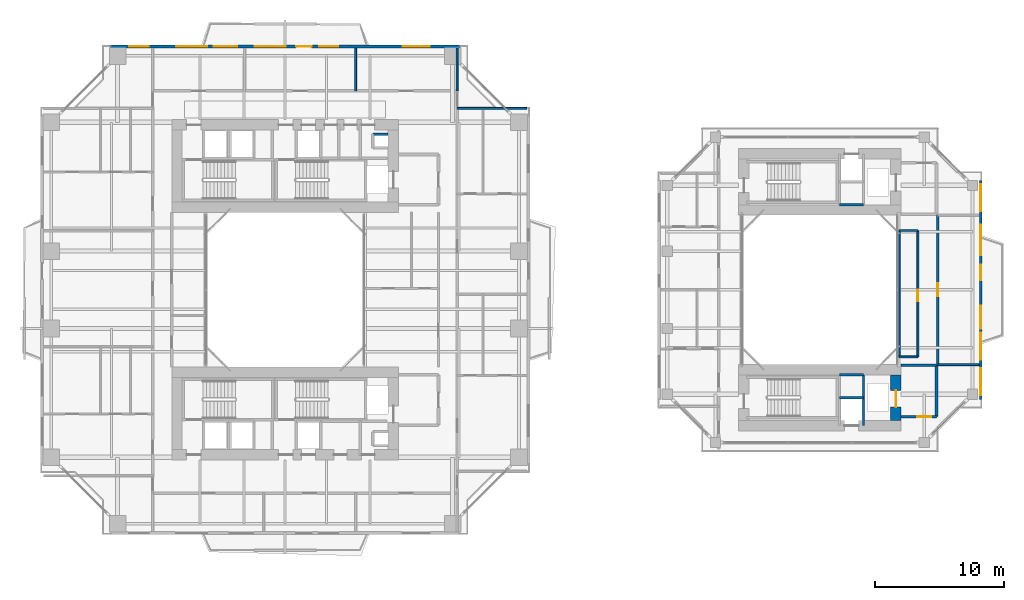
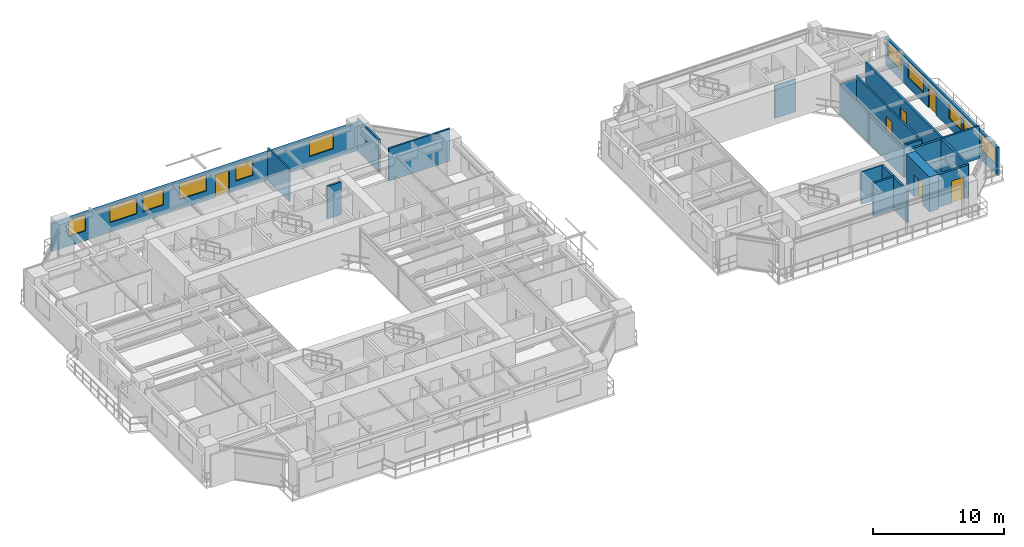
# One storey, part 17 of 23: 20 walls, 11 windows, 6 doors, 17 openings.
"""IFC4 building model written with IfcOpenShell, lengths in metres."""

from ifc_helpers import new_model, si_unit, direction, frame, frame_2d, origin, place, context, subcontext, project, spatial, rectangle, extrude, source, transform, mapped, material, layer, layer_set, type_object, element, fill, save


model = new_model("IFC4")

# Units and contexts
model_context = context("Model", 3, precision=1e-05, world=origin(), true_north=direction((0.0, 1.0)))
body_context = subcontext(model_context, "Body", "Model", "MODEL_VIEW")
ifc_project = project(units=[si_unit("LENGTHUNIT", "METRE"), si_unit("AREAUNIT", "SQUARE_METRE"), si_unit("VOLUMEUNIT", "CUBIC_METRE"), si_unit("PLANEANGLEUNIT", "RADIAN"), si_unit("MASSUNIT", "GRAM", prefix="KILO"), si_unit("THERMODYNAMICTEMPERATUREUNIT", "KELVIN"), si_unit("POWERUNIT", "WATT")], contexts=[model_context])

# Site, building, storey
site_placement = place(None, origin())
site = spatial("IfcSite", under=ifc_project, at=site_placement, CompositionType="ELEMENT")
building_placement = place(site_placement, origin())
building = spatial("IfcBuilding", under=site, at=building_placement, Name="Qiaomeng Ring Towers", CompositionType="ELEMENT")
storey_placement = place(building_placement, frame((0.0, 0.0, 89.25)))
storey = spatial("IfcBuildingStorey", under=building, at=storey_placement, Name="L25", CompositionType="ELEMENT", Elevation=89.25)

# Wall, openings, windows, door
ifc_material_1 = material(Name="Precast concrete C40", Category="concrete")
ifc_layer_1 = layer(ifc_material_1, 0.25, Name="Precast concrete C40")
ifc_layer_set_1 = layer_set([ifc_layer_1], Name="Precast concrete C40")
wall_type_1 = type_object("IfcWallType", Name="ARC-WL-EW1", PredefinedType="STANDARD", material=ifc_layer_set_1)
wall_1_placement = place(storey_placement, frame((5.449951171875, 41.875, 0.0), z_axis=(0.0, 0.0, 1.0), x_axis=(1.0, 0.0, 0.0)))
wall_1 = element("IfcWall", 1, at=wall_1_placement, inside=storey, type_object=wall_type_1, Name="L25 Tower 1 N Exterior Wall", PredefinedType="STANDARD", context=body_context, shape_type="SweptSolid", body=[
    extrude(rectangle(XDim=27.10009765625, YDim=0.25, at=frame_2d((13.550048828125, 0.0))), origin(), (0.0, 0.0, 1.0), 2.570068359375),
])
opening_1_placement = place(wall_1_placement, frame((14.39990234375, 0.0, 0.0)))
opening_1 = element("IfcOpeningElement", 2, at=opening_1_placement, cuts=wall_1, Name="Opening BD1", PredefinedType="OPENING", context=body_context, shape_type="SweptSolid", body=[
    extrude(rectangle(XDim=1.199951171875, YDim=2.10009765625, at=frame_2d((0.60009765625, 1.050048828125))), frame((0.0, 0.135009765625, 0.0), z_axis=(0.0, -1.0, 0.0), x_axis=(1.0, 0.0, 0.0)), (0.0, 0.0, 1.0), 0.27001953125),
])
opening_2_placement = place(wall_1_placement, frame((1.449951171875, 0.0, 0.89990234375)))
opening_2 = element("IfcOpeningElement", 3, at=opening_2_placement, cuts=wall_1, Name="Opening WN2", PredefinedType="OPENING", context=body_context, shape_type="SweptSolid", body=[
    extrude(rectangle(XDim=1.5, YDim=1.5, at=frame_2d((0.75, 0.75))), frame((0.0, 0.135009765625, 0.0), z_axis=(0.0, -1.0, 0.0), x_axis=(1.0, 0.0, 0.0)), (0.0, 0.0, 1.0), 0.27001953125),
])
opening_3_placement = place(wall_1_placement, frame((8.0244140625, 0.0, 0.89990234375)))
opening_3 = element("IfcOpeningElement", 4, at=opening_3_placement, cuts=wall_1, Name="Opening WN1", PredefinedType="OPENING", context=body_context, shape_type="SweptSolid", body=[
    extrude(rectangle(XDim=1.800048828125, YDim=1.5, at=frame_2d((0.89990234375, 0.75))), frame((0.0, 0.135009765625, 0.0), z_axis=(0.0, -1.0, 0.0), x_axis=(1.0, 0.0, 0.0)), (0.0, 0.0, 1.0), 0.27001953125),
])
opening_4_placement = place(wall_1_placement, frame((16.18798828125, 0.0, 0.89990234375)))
opening_4 = element("IfcOpeningElement", 5, at=opening_4_placement, cuts=wall_1, Name="Opening WN2", PredefinedType="OPENING", context=body_context, shape_type="SweptSolid", body=[
    extrude(rectangle(XDim=1.5, YDim=1.449951171875, at=frame_2d((0.75, 0.72509765625))), frame((0.0, 0.135009765625, 0.0), z_axis=(0.0, -1.0, 0.0), x_axis=(1.0, 0.0, 0.0)), (0.0, 0.0, 1.0), 0.27001953125),
])
opening_5_placement = place(wall_1_placement, frame((22.6630859375, 0.0, 0.89990234375)))
opening_5 = element("IfcOpeningElement", 6, at=opening_5_placement, cuts=wall_1, Name="Opening WN4", PredefinedType="OPENING", context=body_context, shape_type="SweptSolid", body=[
    extrude(rectangle(XDim=2.10009765625, YDim=1.47998046875, at=frame_2d((1.050048828125, 0.739990234375))), frame((0.0, 0.135009765625, 0.0), z_axis=(0.0, -1.0, 0.0), x_axis=(1.0, 0.0, 0.0)), (0.0, 0.0, 1.0), 0.27001953125),
])
opening_6_placement = place(wall_1_placement, frame((5.083984375, 0.0, 0.89990234375)))
opening_6 = element("IfcOpeningElement", 7, at=opening_6_placement, cuts=wall_1, Name="Opening WN6", PredefinedType="OPENING", context=body_context, shape_type="SweptSolid", body=[
    extrude(rectangle(XDim=2.39990234375, YDim=1.5, at=frame_2d((1.199951171875, 0.75))), frame((0.0, 0.135009765625, 0.0), z_axis=(0.0, -1.0, 0.0), x_axis=(1.0, 0.0, 0.0)), (0.0, 0.0, 1.0), 0.27001953125),
])
opening_7_placement = place(wall_1_placement, frame((11.20751953125, 0.0, 0.89990234375)))
opening_7 = element("IfcOpeningElement", 8, at=opening_7_placement, cuts=wall_1, Name="Opening WN6", PredefinedType="OPENING", context=body_context, shape_type="SweptSolid", body=[
    extrude(rectangle(XDim=2.39990234375, YDim=1.5, at=frame_2d((1.199951171875, 0.75))), frame((0.0, 0.135009765625, 0.0), z_axis=(0.0, -1.0, 0.0), x_axis=(1.0, 0.0, 0.0)), (0.0, 0.0, 1.0), 0.27001953125),
])
ifc_material_2 = material(Name="Low-E dark-grey laminated double glazing", Category="glass")
window_type_1 = type_object("IfcWindowType", Name="ARC-WN-2", PartitioningType="DOUBLE_PANEL_VERTICAL", PredefinedType="WINDOW", material=ifc_material_2)
shared_shape_1 = source(origin(), body_context, "Body", "SweptSolid", [
    extrude(rectangle(XDim=1.5, YDim=1.449951171875, at=frame_2d((0.75, 0.72509765625))), frame((0.0, 0.030029296875, 0.0), z_axis=(0.0, -1.0, 0.0), x_axis=(1.0, 0.0, 0.0)), (0.0, 0.0, 1.0), 0.06005859375),
])
window_1_placement = place(opening_4_placement, origin())
window_1 = element("IfcWindow", 9, at=window_1_placement, inside=storey, type_object=window_type_1, Name="L25 Exterior Window WN2", OverallHeight=1.449951171875, OverallWidth=1.5, PartitioningType="DOUBLE_PANEL_VERTICAL", PredefinedType="WINDOW", context=body_context, shape_type="MappedRepresentation", body=[
    mapped(shared_shape_1, transform((0.0, 0.0, 0.0), x_axis=(1.0, 0.0, 0.0), y_axis=(0.0, 1.0, 0.0), z_axis=(0.0, 0.0, 1.0), scale=1.0)),
])
fill(opening_4, window_1)
window_type_2 = type_object("IfcWindowType", Name="ARC-WN-4", PartitioningType="TRIPLE_PANEL_VERTICAL", PredefinedType="WINDOW", material=ifc_material_2)
shared_shape_2 = source(origin(), body_context, "Body", "SweptSolid", [
    extrude(rectangle(XDim=2.10009765625, YDim=1.47998046875, at=frame_2d((1.050048828125, 0.739990234375))), frame((0.0, 0.030029296875, 0.0), z_axis=(0.0, -1.0, 0.0), x_axis=(1.0, 0.0, 0.0)), (0.0, 0.0, 1.0), 0.06005859375),
])
window_2_placement = place(opening_5_placement, origin())
window_2 = element("IfcWindow", 10, at=window_2_placement, inside=storey, type_object=window_type_2, Name="L25 Exterior Window WN4", OverallHeight=1.47998046875, OverallWidth=2.10009765625, PartitioningType="TRIPLE_PANEL_VERTICAL", PredefinedType="WINDOW", context=body_context, shape_type="MappedRepresentation", body=[
    mapped(shared_shape_2, transform((0.0, 0.0, 0.0), x_axis=(1.0, 0.0, 0.0), y_axis=(0.0, 1.0, 0.0), z_axis=(0.0, 0.0, 1.0), scale=1.0)),
])
fill(opening_5, window_2)
door_type_1 = type_object("IfcDoorType", Name="ARC-DR-BD1", OperationType="NOTDEFINED", PredefinedType="DOOR", material=ifc_material_2)
shared_shape_3 = source(origin(), body_context, "Body", "SweptSolid", [
    extrude(rectangle(XDim=1.199951171875, YDim=2.10009765625, at=frame_2d((0.60009765625, 1.050048828125))), frame((0.0, 0.02490234375, 0.0), z_axis=(0.0, -1.0, 0.0), x_axis=(1.0, 0.0, 0.0)), (0.0, 0.0, 1.0), 0.050048828125),
])
door_1_placement = place(opening_1_placement, origin())
door_1 = element("IfcDoor", 11, at=door_1_placement, inside=storey, type_object=door_type_1, Name="L25 N Balcony Glazed Door", OperationType="SINGLE_SWING_LEFT", OverallHeight=2.10009765625, OverallWidth=1.199951171875, PredefinedType="DOOR", context=body_context, shape_type="MappedRepresentation", body=[
    mapped(shared_shape_3, transform((0.0, 0.0, 0.0), x_axis=(1.0, 0.0, 0.0), y_axis=(0.0, 1.0, 0.0), z_axis=(0.0, 0.0, 1.0), scale=1.0)),
])
fill(opening_1, door_1)
shared_shape_4 = source(origin(), body_context, "Body", "SweptSolid", [
    extrude(rectangle(XDim=1.5, YDim=1.5, at=frame_2d((0.75, 0.75))), frame((0.0, 0.030029296875, 0.0), z_axis=(0.0, -1.0, 0.0), x_axis=(1.0, 0.0, 0.0)), (0.0, 0.0, 1.0), 0.06005859375),
])
window_3_placement = place(opening_2_placement, origin())
window_3 = element("IfcWindow", 12, at=window_3_placement, inside=storey, type_object=window_type_1, Name="L25 Exterior Window WN6", OverallHeight=1.5, OverallWidth=1.5, PartitioningType="TRIPLE_PANEL_VERTICAL", PredefinedType="WINDOW", context=body_context, shape_type="MappedRepresentation", body=[
    mapped(shared_shape_4, transform((0.0, 0.0, 0.0), x_axis=(1.0, 0.0, 0.0), y_axis=(0.0, 1.0, 0.0), z_axis=(0.0, 0.0, 1.0), scale=1.0)),
])
fill(opening_2, window_3)
window_type_3 = type_object("IfcWindowType", Name="ARC-WN-6", PartitioningType="TRIPLE_PANEL_VERTICAL", PredefinedType="WINDOW", material=ifc_material_2)
shared_shape_5 = source(origin(), body_context, "Body", "SweptSolid", [
    extrude(rectangle(XDim=2.39990234375, YDim=1.5, at=frame_2d((1.199951171875, 0.75))), frame((0.0, 0.030029296875, 0.0), z_axis=(0.0, -1.0, 0.0), x_axis=(1.0, 0.0, 0.0)), (0.0, 0.0, 1.0), 0.06005859375),
])
window_4_placement = place(opening_6_placement, origin())
window_4 = element("IfcWindow", 13, at=window_4_placement, inside=storey, type_object=window_type_3, Name="L25 Exterior Window WN6", OverallHeight=1.5, OverallWidth=2.39990234375, PartitioningType="TRIPLE_PANEL_VERTICAL", PredefinedType="WINDOW", context=body_context, shape_type="MappedRepresentation", body=[
    mapped(shared_shape_5, transform((0.0, 0.0, 0.0), x_axis=(1.0, 0.0, 0.0), y_axis=(0.0, 1.0, 0.0), z_axis=(0.0, 0.0, 1.0), scale=1.0)),
])
fill(opening_6, window_4)
window_5_placement = place(opening_7_placement, origin())
window_5 = element("IfcWindow", 14, at=window_5_placement, inside=storey, type_object=window_type_3, Name="L25 Exterior Window WN6", OverallHeight=1.5, OverallWidth=2.39990234375, PartitioningType="TRIPLE_PANEL_VERTICAL", PredefinedType="WINDOW", context=body_context, shape_type="MappedRepresentation", body=[
    mapped(shared_shape_5, transform((0.0, 0.0, 0.0), x_axis=(1.0, 0.0, 0.0), y_axis=(0.0, 1.0, 0.0), z_axis=(0.0, 0.0, 1.0), scale=1.0)),
])
fill(opening_7, window_5)
window_type_4 = type_object("IfcWindowType", Name="ARC-WN-1", PartitioningType="DOUBLE_PANEL_VERTICAL", PredefinedType="WINDOW", material=ifc_material_2)
shared_shape_6 = source(origin(), body_context, "Body", "SweptSolid", [
    extrude(rectangle(XDim=1.800048828125, YDim=1.5, at=frame_2d((0.89990234375, 0.75))), frame((0.0, 0.030029296875, 0.0), z_axis=(0.0, -1.0, 0.0), x_axis=(1.0, 0.0, 0.0)), (0.0, 0.0, 1.0), 0.06005859375),
])
window_6_placement = place(opening_3_placement, origin())
window_6 = element("IfcWindow", 15, at=window_6_placement, inside=storey, type_object=window_type_4, Name="L25 Exterior Window WN1", OverallHeight=1.5, OverallWidth=1.800048828125, PartitioningType="DOUBLE_PANEL_VERTICAL", PredefinedType="WINDOW", context=body_context, shape_type="MappedRepresentation", body=[
    mapped(shared_shape_6, transform((0.0, 0.0, 0.0), x_axis=(1.0, 0.0, 0.0), y_axis=(0.0, 1.0, 0.0), z_axis=(0.0, 0.0, 1.0), scale=1.0)),
])
fill(opening_3, window_6)

ifc_layer_2 = layer(ifc_material_1, 0.219970703125, Name="Precast concrete C40")
ifc_layer_set_2 = layer_set([ifc_layer_2], Name="Precast concrete C40")
wall_type_2 = type_object("IfcWallType", Name="ARC-WL-EW2", PredefinedType="STANDARD", material=ifc_layer_set_2)
wall_2_placement = place(storey_placement, frame((72.989990234375, 14.5, 0.0), z_axis=(0.0, 0.0, 1.0), x_axis=(0.0, 1.0, 0.0)))
wall_2 = element("IfcWall", 16, at=wall_2_placement, inside=storey, type_object=wall_type_2, Name="L25 Companion East Wall", PredefinedType="STANDARD", context=body_context, shape_type="SweptSolid", body=[
    extrude(rectangle(XDim=17.0, YDim=0.219970703125, at=frame_2d((8.5, 0.0))), origin(), (0.0, 0.0, 1.0), 2.570068359375),
])
opening_8_placement = place(wall_2_placement, frame((9.25, 0.0, 0.0)))
opening_8 = element("IfcOpeningElement", 17, at=opening_8_placement, cuts=wall_2, Name="Opening BD1", PredefinedType="OPENING", context=body_context, shape_type="SweptSolid", body=[
    extrude(rectangle(XDim=1.199951171875, YDim=2.10009765625, at=frame_2d((0.60009765625, 1.050048828125))), frame((0.0, 0.119873046875, 0.0), z_axis=(0.0, -1.0, 0.0), x_axis=(1.0, 0.0, 0.0)), (0.0, 0.0, 1.0), 0.239990234375),
])
opening_9_placement = place(wall_2_placement, frame((0.3076171875, 0.0, 0.89990234375)))
opening_9 = element("IfcOpeningElement", 18, at=opening_9_placement, cuts=wall_2, Name="Opening WN4", PredefinedType="OPENING", context=body_context, shape_type="SweptSolid", body=[
    extrude(rectangle(XDim=2.10009765625, YDim=1.5, at=frame_2d((1.050048828125, 0.75))), frame((0.0, 0.119873046875, 0.0), z_axis=(0.0, -1.0, 0.0), x_axis=(1.0, 0.0, 0.0)), (0.0, 0.0, 1.0), 0.239990234375),
])
opening_10_placement = place(wall_2_placement, frame((5.47509765625, 0.0, 0.89990234375)))
opening_10 = element("IfcOpeningElement", 19, at=opening_10_placement, cuts=wall_2, Name="Opening WN1", PredefinedType="OPENING", context=body_context, shape_type="SweptSolid", body=[
    extrude(rectangle(XDim=1.800048828125, YDim=1.449951171875, at=frame_2d((0.89990234375, 0.72509765625))), frame((0.0, 0.119873046875, 0.0), z_axis=(0.0, -1.0, 0.0), x_axis=(1.0, 0.0, 0.0)), (0.0, 0.0, 1.0), 0.239990234375),
])
opening_11_placement = place(wall_2_placement, frame((14.592529296875, 0.0, 0.89990234375)))
opening_11 = element("IfcOpeningElement", 20, at=opening_11_placement, cuts=wall_2, Name="Opening WN4", PredefinedType="OPENING", context=body_context, shape_type="SweptSolid", body=[
    extrude(rectangle(XDim=2.10009765625, YDim=1.5, at=frame_2d((1.050048828125, 0.75))), frame((0.0, 0.119873046875, 0.0), z_axis=(0.0, -1.0, 0.0), x_axis=(1.0, 0.0, 0.0)), (0.0, 0.0, 1.0), 0.239990234375),
])
opening_12_placement = place(wall_2_placement, frame((3.054931640625, 0.0, 0.89990234375)))
opening_12 = element("IfcOpeningElement", 21, at=opening_12_placement, cuts=wall_2, Name="Opening WN4", PredefinedType="OPENING", context=body_context, shape_type="SweptSolid", body=[
    extrude(rectangle(XDim=2.10009765625, YDim=1.5, at=frame_2d((1.050048828125, 0.75))), frame((0.0, 0.119873046875, 0.0), z_axis=(0.0, -1.0, 0.0), x_axis=(1.0, 0.0, 0.0)), (0.0, 0.0, 1.0), 0.239990234375),
])
opening_13_placement = place(wall_2_placement, frame((11.16748046875, 0.0, 0.89990234375)))
opening_13 = element("IfcOpeningElement", 22, at=opening_13_placement, cuts=wall_2, Name="Opening WN6", PredefinedType="OPENING", context=body_context, shape_type="SweptSolid", body=[
    extrude(rectangle(XDim=2.39990234375, YDim=1.5, at=frame_2d((1.199951171875, 0.75))), frame((0.0, 0.119873046875, 0.0), z_axis=(0.0, -1.0, 0.0), x_axis=(1.0, 0.0, 0.0)), (0.0, 0.0, 1.0), 0.239990234375),
])
shared_shape_7 = source(origin(), body_context, "Body", "SweptSolid", [
    extrude(rectangle(XDim=2.10009765625, YDim=1.5, at=frame_2d((1.050048828125, 0.75))), frame((0.0, 0.030029296875, 0.0), z_axis=(0.0, -1.0, 0.0), x_axis=(1.0, 0.0, 0.0)), (0.0, 0.0, 1.0), 0.06005859375),
])
window_7_placement = place(opening_9_placement, origin())
window_7 = element("IfcWindow", 23, at=window_7_placement, inside=storey, type_object=window_type_2, Name="L25 Exterior Window WN6", OverallHeight=1.5, OverallWidth=2.10009765625, PartitioningType="TRIPLE_PANEL_VERTICAL", PredefinedType="WINDOW", context=body_context, shape_type="MappedRepresentation", body=[
    mapped(shared_shape_7, transform((0.0, 0.0, 0.0), x_axis=(1.0, 0.0, 0.0), y_axis=(0.0, 1.0, 0.0), z_axis=(0.0, 0.0, 1.0), scale=1.0)),
])
fill(opening_9, window_7)
window_8_placement = place(opening_11_placement, origin())
window_8 = element("IfcWindow", 24, at=window_8_placement, inside=storey, type_object=window_type_2, Name="L25 Exterior Window WN4", OverallHeight=1.5, OverallWidth=2.10009765625, PartitioningType="TRIPLE_PANEL_VERTICAL", PredefinedType="WINDOW", context=body_context, shape_type="MappedRepresentation", body=[
    mapped(shared_shape_7, transform((0.0, 0.0, 0.0), x_axis=(1.0, 0.0, 0.0), y_axis=(0.0, 1.0, 0.0), z_axis=(0.0, 0.0, 1.0), scale=1.0)),
])
fill(opening_11, window_8)
window_9_placement = place(opening_12_placement, origin())
window_9 = element("IfcWindow", 25, at=window_9_placement, inside=storey, type_object=window_type_2, Name="L25 Exterior Window WN4", OverallHeight=1.5, OverallWidth=2.10009765625, PartitioningType="TRIPLE_PANEL_VERTICAL", PredefinedType="WINDOW", context=body_context, shape_type="MappedRepresentation", body=[
    mapped(shared_shape_7, transform((0.0, 0.0, 0.0), x_axis=(1.0, 0.0, 0.0), y_axis=(0.0, 1.0, 0.0), z_axis=(0.0, 0.0, 1.0), scale=1.0)),
])
fill(opening_12, window_9)
shared_shape_8 = source(origin(), body_context, "Body", "SweptSolid", [
    extrude(rectangle(XDim=1.800048828125, YDim=1.449951171875, at=frame_2d((0.89990234375, 0.72509765625))), frame((0.0, 0.030029296875, 0.0), z_axis=(0.0, -1.0, 0.0), x_axis=(1.0, 0.0, 0.0)), (0.0, 0.0, 1.0), 0.06005859375),
])
window_10_placement = place(opening_10_placement, origin())
window_10 = element("IfcWindow", 26, at=window_10_placement, inside=storey, type_object=window_type_4, Name="L25 Exterior Window WN1", OverallHeight=1.449951171875, OverallWidth=1.800048828125, PartitioningType="DOUBLE_PANEL_VERTICAL", PredefinedType="WINDOW", context=body_context, shape_type="MappedRepresentation", body=[
    mapped(shared_shape_8, transform((0.0, 0.0, 0.0), x_axis=(1.0, 0.0, 0.0), y_axis=(0.0, 1.0, 0.0), z_axis=(0.0, 0.0, 1.0), scale=1.0)),
])
fill(opening_10, window_10)
door_2_placement = place(opening_8_placement, origin())
door_2 = element("IfcDoor", 27, at=door_2_placement, inside=storey, type_object=door_type_1, Name="L25 Companion East Balcony Door", OperationType="SINGLE_SWING_LEFT", OverallHeight=2.10009765625, OverallWidth=1.199951171875, PredefinedType="DOOR", context=body_context, shape_type="MappedRepresentation", body=[
    mapped(shared_shape_3, transform((0.0, 0.0, 0.0), x_axis=(1.0, 0.0, 0.0), y_axis=(0.0, 1.0, 0.0), z_axis=(0.0, 0.0, 1.0), scale=1.0)),
])
fill(opening_8, door_2)
window_11_placement = place(opening_13_placement, origin())
window_11 = element("IfcWindow", 28, at=window_11_placement, inside=storey, type_object=window_type_3, Name="L25 Exterior Window WN6", OverallHeight=1.5, OverallWidth=2.39990234375, PartitioningType="TRIPLE_PANEL_VERTICAL", PredefinedType="WINDOW", context=body_context, shape_type="MappedRepresentation", body=[
    mapped(shared_shape_5, transform((0.0, 0.0, 0.0), x_axis=(1.0, 0.0, 0.0), y_axis=(0.0, 1.0, 0.0), z_axis=(0.0, 0.0, 1.0), scale=1.0)),
])
fill(opening_13, window_11)

# Walls
ifc_material_3 = material(Name="Autoclaved aerated concrete block", Category="concrete")
ifc_layer_3 = layer(ifc_material_3, 0.199951171875, Name="Autoclaved aerated concrete block")
ifc_layer_set_3 = layer_set([ifc_layer_3], Name="Autoclaved aerated concrete block")
wall_type_3 = type_object("IfcWallType", Name="ARC-WL-PW1", PredefinedType="PARTITIONING", material=ifc_layer_set_3)
wall_3_placement = place(storey_placement, frame((66.800048828125, 17.14990234375, 0.0), z_axis=(0.0, 0.0, 1.0), x_axis=(1.0, 0.0, 0.0)))
element("IfcWall", 29, at=wall_3_placement, inside=storey, type_object=wall_type_3, Name="L25 Interior Wall PW1", PredefinedType="PARTITIONING", context=body_context, shape_type="SweptSolid", body=[
    extrude(rectangle(XDim=2.75, YDim=0.199951171875, at=frame_2d((1.375, 0.0))), origin(), (0.0, 0.0, 1.0), 3.030029296875),
])
wall_4_placement = place(storey_placement, frame((69.550048828125, 13.14990234375, 0.0), z_axis=(0.0, 0.0, 1.0), x_axis=(0.0, 1.0, 0.0)))
element("IfcWall", 30, at=wall_4_placement, inside=storey, type_object=wall_type_3, Name="L25 Interior Wall PW1", PredefinedType="PARTITIONING", context=body_context, shape_type="SweptSolid", body=[
    extrude(rectangle(XDim=4.0, YDim=0.199951171875, at=frame_2d((2.0, 0.0))), origin(), (0.0, 0.0, 1.0), 3.030029296875),
])

# Wall, opening, door
wall_5_placement = place(storey_placement, frame((66.800048828125, 13.14990234375, 0.0), z_axis=(0.0, 0.0, 1.0), x_axis=(1.0, 0.0, 0.0)))
wall_5 = element("IfcWall", 31, at=wall_5_placement, inside=storey, type_object=wall_type_3, Name="L25 Interior Wall PW1", PredefinedType="PARTITIONING", context=body_context, shape_type="SweptSolid", body=[
    extrude(rectangle(XDim=2.75, YDim=0.199951171875, at=frame_2d((1.375, 0.0))), origin(), (0.0, 0.0, 1.0), 3.030029296875),
])
opening_14_placement = place(wall_5_placement, frame((1.25, 0.0, 0.0)))
opening_14 = element("IfcOpeningElement", 32, at=opening_14_placement, cuts=wall_5, Name="Opening FD3", PredefinedType="OPENING", context=body_context, shape_type="SweptSolid", body=[
    extrude(rectangle(XDim=1.10009765625, YDim=2.050048828125, at=frame_2d((0.550048828125, 1.02490234375))), frame((0.0, 0.10986328125, 0.0), z_axis=(0.0, -1.0, 0.0), x_axis=(1.0, 0.0, 0.0)), (0.0, 0.0, 1.0), 0.219970703125),
])
ifc_material_4 = material(Name="Galvanised steel", Category="steel")
door_type_2 = type_object("IfcDoorType", Name="ARC-DR-FD3", OperationType="NOTDEFINED", PredefinedType="DOOR", material=ifc_material_4)
shared_shape_9 = source(origin(), body_context, "Body", "SweptSolid", [
    extrude(rectangle(XDim=1.10009765625, YDim=2.050048828125, at=frame_2d((0.550048828125, 1.02490234375))), frame((0.0, 0.02490234375, 0.0), z_axis=(0.0, -1.0, 0.0), x_axis=(1.0, 0.0, 0.0)), (0.0, 0.0, 1.0), 0.050048828125),
])
door_3_placement = place(opening_14_placement, origin())
door_3 = element("IfcDoor", 33, at=door_3_placement, inside=storey, type_object=door_type_2, Name="L25 Door FD3", OperationType="SINGLE_SWING_LEFT", OverallHeight=2.050048828125, OverallWidth=1.10009765625, PredefinedType="DOOR", context=body_context, shape_type="MappedRepresentation", body=[
    mapped(shared_shape_9, transform((0.0, 0.0, 0.0), x_axis=(1.0, 0.0, 0.0), y_axis=(0.0, 1.0, 0.0), z_axis=(0.0, 0.0, 1.0), scale=1.0)),
])
fill(opening_14, door_3)

ifc_layer_4 = layer(ifc_material_3, 0.179931640625, Name="Autoclaved aerated concrete block")
ifc_layer_set_4 = layer_set([ifc_layer_4], Name="Autoclaved aerated concrete block")
wall_type_4 = type_object("IfcWallType", Name="ARC-WL-PW2", PredefinedType="PARTITIONING", material=ifc_layer_set_4)
wall_6_placement = place(storey_placement, frame((69.64990234375, 17.199951171875, 0.0), z_axis=(0.0, 0.0, 1.0), x_axis=(0.0, 1.0, 0.0)))
wall_6 = element("IfcWall", 34, at=wall_6_placement, inside=storey, type_object=wall_type_4, Name="L25 Interior Wall PW2", PredefinedType="PARTITIONING", context=body_context, shape_type="SweptSolid", body=[
    extrude(rectangle(XDim=11.60009765625, YDim=0.179931640625, at=frame_2d((5.800048828125, 0.0))), origin(), (0.0, 0.0, 1.0), 3.030029296875),
])
opening_15_placement = place(wall_6_placement, frame((5.300048828125, 0.0, 0.0)))
opening_15 = element("IfcOpeningElement", 35, at=opening_15_placement, cuts=wall_6, Name="Opening FD4", PredefinedType="OPENING", context=body_context, shape_type="SweptSolid", body=[
    extrude(rectangle(XDim=1.0, YDim=2.050048828125, at=frame_2d((0.5, 1.02490234375))), frame((0.0, 0.099853515625, 0.0), z_axis=(0.0, -1.0, 0.0), x_axis=(1.0, 0.0, 0.0)), (0.0, 0.0, 1.0), 0.199951171875),
])
ifc_material_5 = material(Name="Engineered fire-rated oak timber", Category="wood")
door_type_3 = type_object("IfcDoorType", Name="ARC-DR-FD4", OperationType="NOTDEFINED", PredefinedType="DOOR", material=ifc_material_5)
shared_shape_10 = source(origin(), body_context, "Body", "SweptSolid", [
    extrude(rectangle(XDim=1.0, YDim=2.050048828125, at=frame_2d((0.5, 1.02490234375))), frame((0.0, 0.02490234375, 0.0), z_axis=(0.0, -1.0, 0.0), x_axis=(1.0, 0.0, 0.0)), (0.0, 0.0, 1.0), 0.050048828125),
])
door_4_placement = place(opening_15_placement, origin())
door_4 = element("IfcDoor", 36, at=door_4_placement, inside=storey, type_object=door_type_3, Name="L25 Door FD4", OperationType="SINGLE_SWING_LEFT", OverallHeight=2.050048828125, OverallWidth=1.0, PredefinedType="DOOR", context=body_context, shape_type="MappedRepresentation", body=[
    mapped(shared_shape_10, transform((0.0, 0.0, 0.0), x_axis=(1.0, 0.0, 0.0), y_axis=(0.0, 1.0, 0.0), z_axis=(0.0, 0.0, 1.0), scale=1.0)),
])
fill(opening_15, door_4)

# Walls
ifc_material_6 = material(Name="Gypsum fireboard steel-stud partition", Category="steel")
ifc_layer_5 = layer(ifc_material_6, 0.14990234375, Name="Gypsum fireboard steel-stud partition")
ifc_layer_set_5 = layer_set([ifc_layer_5], Name="Gypsum fireboard steel-stud partition")
wall_type_5 = type_object("IfcWallType", Name="ARC-WL-PW3", PredefinedType="PARTITIONING", material=ifc_layer_set_5)
for number, where, z_axis, x_axis, name in (
    (37, (24.469970703125, 38.43994140625, 0.0), (0.0, 0.0, 1.0), (0.0, 1.0, 0.0), "L25 Interior Wall PW3"),
    (38, (32.35009765625, 38.43994140625, 0.0), (0.0, 0.0, 1.0), (0.0, 1.0, 0.0), "L25 Interior Wall PW3"),
):
    element("IfcWall", number, at=place(storey_placement, frame(where, z_axis=z_axis, x_axis=x_axis)), inside=storey, type_object=wall_type_5, Name=name, PredefinedType="PARTITIONING", context=body_context, shape_type="SweptSolid", body=[
        extrude(rectangle(XDim=3.31005859375, YDim=0.14990234375, at=frame_2d((1.655029296875, 0.0))), origin(), (0.0, 0.0, 1.0), 3.030029296875),
    ])
wall_7_placement = place(storey_placement, frame((32.35009765625, 37.080078125, 0.0), z_axis=(0.0, 0.0, 1.0), x_axis=(1.0, 0.0, 0.0)))
element("IfcWall", 39, at=wall_7_placement, inside=storey, type_object=wall_type_5, Name="L25 Interior Wall PW3", PredefinedType="PARTITIONING", context=body_context, shape_type="SweptSolid", body=[
    extrude(rectangle(XDim=5.39990234375, YDim=0.14990234375, at=frame_2d((2.699951171875, 0.0))), origin(), (0.0, 0.0, 1.0), 3.030029296875),
])
wall_8_placement = place(storey_placement, frame((69.64990234375, 17.199951171875, 0.0), z_axis=(0.0, 0.0, 1.0), x_axis=(1.0, 0.0, 0.0)))
element("IfcWall", 40, at=wall_8_placement, inside=storey, type_object=wall_type_5, Name="L25 Interior Wall PW3", PredefinedType="PARTITIONING", context=body_context, shape_type="SweptSolid", body=[
    extrude(rectangle(XDim=3.2001953125, YDim=0.14990234375, at=frame_2d((1.60009765625, 0.0))), origin(), (0.0, 0.0, 1.0), 3.030029296875),
])

# Wall, opening, door
wall_9_placement = place(storey_placement, frame((68.10009765625, 17.800048828125, 0.0), z_axis=(0.0, 0.0, 1.0), x_axis=(0.0, 1.0, 0.0)))
wall_9 = element("IfcWall", 41, at=wall_9_placement, inside=storey, type_object=wall_type_5, Name="L25 Interior Wall PW3", PredefinedType="PARTITIONING", context=body_context, shape_type="SweptSolid", body=[
    extrude(rectangle(XDim=9.800048828125, YDim=0.14990234375, at=frame_2d((4.89990234375, 0.0))), origin(), (0.0, 0.0, 1.0), 3.030029296875),
])
opening_16_placement = place(wall_9_placement, frame((4.300048828125, 0.0, 0.0)))
opening_16 = element("IfcOpeningElement", 42, at=opening_16_placement, cuts=wall_9, Name="Opening ID1", PredefinedType="OPENING", context=body_context, shape_type="SweptSolid", body=[
    extrude(rectangle(XDim=0.89990234375, YDim=2.050048828125, at=frame_2d((0.449951171875, 1.02490234375))), frame((0.0, 0.0849609375, 0.0), z_axis=(0.0, -1.0, 0.0), x_axis=(1.0, 0.0, 0.0)), (0.0, 0.0, 1.0), 0.169921875),
])
ifc_material_7 = material(Name="Engineered oak timber", Category="wood")
door_type_4 = type_object("IfcDoorType", Name="ARC-DR-ID1", OperationType="NOTDEFINED", PredefinedType="DOOR", material=ifc_material_7)
shared_shape_11 = source(origin(), body_context, "Body", "SweptSolid", [
    extrude(rectangle(XDim=0.89990234375, YDim=2.050048828125, at=frame_2d((0.449951171875, 1.02490234375))), frame((0.0, 0.02490234375, 0.0), z_axis=(0.0, -1.0, 0.0), x_axis=(1.0, 0.0, 0.0)), (0.0, 0.0, 1.0), 0.050048828125),
])
door_5_placement = place(opening_16_placement, origin())
door_5 = element("IfcDoor", 43, at=door_5_placement, inside=storey, type_object=door_type_4, Name="L25 Door ID1", OperationType="SINGLE_SWING_RIGHT", OverallHeight=2.050048828125, OverallWidth=0.89990234375, PredefinedType="DOOR", context=body_context, shape_type="MappedRepresentation", body=[
    mapped(shared_shape_11, transform((0.0, 0.0, 0.0), x_axis=(1.0, 0.0, 0.0), y_axis=(0.0, 1.0, 0.0), z_axis=(0.0, 0.0, 1.0), scale=1.0)),
])
fill(opening_16, door_5)

# Walls
wall_10_placement = place(storey_placement, frame((66.64990234375, 27.60009765625, 0.0), z_axis=(0.0, 0.0, 1.0), x_axis=(1.0, 0.0, 0.0)))
element("IfcWall", 44, at=wall_10_placement, inside=storey, type_object=wall_type_5, Name="L25 Interior Wall PW3", PredefinedType="PARTITIONING", context=body_context, shape_type="SweptSolid", body=[
    extrude(rectangle(XDim=1.4501953125, YDim=0.14990234375, at=frame_2d((0.72509765625, 0.0))), origin(), (0.0, 0.0, 1.0), 2.781005859375),
])
wall_11_placement = place(storey_placement, frame((66.64990234375, 17.800048828125, 0.0), z_axis=(0.0, 0.0, 1.0), x_axis=(1.0, 0.0, 0.0)))
element("IfcWall", 45, at=wall_11_placement, inside=storey, type_object=wall_type_5, Name="L25 Interior Wall PW3", PredefinedType="PARTITIONING", context=body_context, shape_type="SweptSolid", body=[
    extrude(rectangle(XDim=1.4501953125, YDim=0.14990234375, at=frame_2d((0.72509765625, 0.0))), origin(), (0.0, 0.0, 1.0), 3.030029296875),
])
wall_12_placement = place(storey_placement, frame((66.64990234375, 17.800048828125, 0.0), z_axis=(0.0, 0.0, 1.0), x_axis=(0.0, 1.0, 0.0)))
element("IfcWall", 46, at=wall_12_placement, inside=storey, type_object=wall_type_5, Name="L25 Interior Wall PW3", PredefinedType="PARTITIONING", context=body_context, shape_type="SweptSolid", body=[
    extrude(rectangle(XDim=9.800048828125, YDim=0.14990234375, at=frame_2d((4.89990234375, 0.0))), origin(), (0.0, 0.0, 1.0), 2.625),
])
ifc_material_8 = material(Name="Concrete C40", Category="concrete")
ifc_layer_6 = layer(ifc_material_8, 0.199951171875, Name="Concrete C40")
ifc_layer_set_6 = layer_set([ifc_layer_6], Name="Concrete C40")
wall_type_6 = type_object("IfcWallType", Name="STR-WL-STSHAFT", PredefinedType="SHEAR", material=ifc_layer_set_6)
wall_13_placement = place(storey_placement, frame((25.800048828125, 35.080078125, 0.0), z_axis=(0.0, 0.0, 1.0), x_axis=(1.0, 0.0, 0.0)))
element("IfcWall", 47, at=wall_13_placement, inside=storey, type_object=wall_type_6, Name="L25 Riser RSR1 North Shaft Wall N", PredefinedType="SHEAR", context=body_context, shape_type="SweptSolid", body=[
    extrude(rectangle(XDim=1.199951171875, YDim=0.179931640625, at=frame_2d((0.60009765625, 0.0))), origin(), (0.0, 0.0, 1.0), 3.030029296875),
])
wall_14_placement = place(storey_placement, frame((62.02001953125, 29.60009765625, 0.0), z_axis=(0.0, 0.0, 1.0), x_axis=(1.0, 0.0, 0.0)))
element("IfcWall", 48, at=wall_14_placement, inside=storey, type_object=wall_type_6, Name="L25 Companion Riser Shaft Back Wall N", PredefinedType="SHEAR", context=body_context, shape_type="SweptSolid", body=[
    extrude(rectangle(XDim=1.85986328125, YDim=0.179931640625, at=frame_2d((0.929931640625, 0.0))), origin(), (0.0, 0.0, 1.0), 3.030029296875),
])
wall_15_placement = place(storey_placement, frame((63.8798828125, 12.449951171875, 0.0), z_axis=(0.0, 0.0, 1.0), x_axis=(0.0, 1.0, 0.0)))
element("IfcWall", 49, at=wall_15_placement, inside=storey, type_object=wall_type_6, Name="L25 Companion Lift Shaft East Wall S", PredefinedType="SHEAR", context=body_context, shape_type="SweptSolid", body=[
    extrude(rectangle(XDim=3.949951171875, YDim=0.179931640625, at=frame_2d((1.97509765625, 0.0))), origin(), (0.0, 0.0, 1.0), 3.030029296875),
])
for number, where, z_axis, x_axis, name in (
    (50, (62.02001953125, 14.6201171875, 0.0), (0.0, 0.0, 1.0), (1.0, 0.0, 0.0), "L25 Companion Lift Shaft Divider Wall S"),
    (51, (62.02001953125, 16.39990234375, 0.0), (0.0, 0.0, 1.0), (1.0, 0.0, 0.0), "L25 Companion Riser Shaft Back Wall S"),
):
    element("IfcWall", number, at=place(storey_placement, frame(where, z_axis=z_axis, x_axis=x_axis)), inside=storey, type_object=wall_type_6, Name=name, PredefinedType="SHEAR", context=body_context, shape_type="SweptSolid", body=[
        extrude(rectangle(XDim=1.85986328125, YDim=0.179931640625, at=frame_2d((0.929931640625, 0.0))), origin(), (0.0, 0.0, 1.0), 3.030029296875),
    ])

# Wall, opening, door
ifc_material_9 = material(Name="Concrete C60", Category="concrete")
ifc_layer_7 = layer(ifc_material_9, 0.800048828125, Name="Concrete C60")
ifc_layer_set_7 = layer_set([ifc_layer_7], Name="Concrete C60")
wall_type_7 = type_object("IfcWallType", Name="STR-WL-SW1", PredefinedType="SHEAR", material=ifc_layer_set_7)
wall_16_placement = place(storey_placement, frame((66.39990234375, 12.85009765625, 0.0), z_axis=(0.0, 0.0, 1.0), x_axis=(0.0, 1.0, 0.0)))
wall_16 = element("IfcWall", 52, at=wall_16_placement, inside=storey, type_object=wall_type_7, Name="L25 T2SC east core shear wall", PredefinedType="SHEAR", context=body_context, shape_type="SweptSolid", body=[
    extrude(rectangle(XDim=3.5498046875, YDim=0.800048828125, at=frame_2d((1.77490234375, 0.0))), origin(), (0.0, 0.0, 1.0), 3.25),
])
opening_17_placement = place(wall_16_placement, frame((1.050048828125, 0.0, 0.0)))
opening_17 = element("IfcOpeningElement", 53, at=opening_17_placement, cuts=wall_16, Name="Opening LD2", PredefinedType="OPENING", context=body_context, shape_type="SweptSolid", body=[
    extrude(rectangle(XDim=1.300048828125, YDim=2.050048828125, at=frame_2d((0.64990234375, 1.02490234375))), frame((0.0, 0.409912109375, 0.0), z_axis=(0.0, -1.0, 0.0), x_axis=(1.0, 0.0, 0.0)), (0.0, 0.0, 1.0), 0.820068359375),
])
ifc_material_10 = material(Name="Stainless steel 316", Category="steel")
door_type_5 = type_object("IfcDoorType", Name="ARC-DR-LD2", OperationType="NOTDEFINED", PredefinedType="DOOR", material=ifc_material_10)
shared_shape_12 = source(origin(), body_context, "Body", "SweptSolid", [
    extrude(rectangle(XDim=1.300048828125, YDim=2.050048828125, at=frame_2d((0.64990234375, 1.02490234375))), frame((0.0, 0.02490234375, 0.0), z_axis=(0.0, -1.0, 0.0), x_axis=(1.0, 0.0, 0.0)), (0.0, 0.0, 1.0), 0.050048828125),
])
door_6_placement = place(opening_17_placement, origin())
door_6 = element("IfcDoor", 54, at=door_6_placement, inside=storey, type_object=door_type_5, Name="L25 Firefighting Lift FL4 Landing Door", OperationType="SLIDING_TO_RIGHT", OverallHeight=2.050048828125, OverallWidth=1.300048828125, PredefinedType="DOOR", context=body_context, shape_type="MappedRepresentation", body=[
    mapped(shared_shape_12, transform((0.0, 0.0, 0.0), x_axis=(1.0, 0.0, 0.0), y_axis=(0.0, 1.0, 0.0), z_axis=(0.0, 0.0, 1.0), scale=1.0)),
])
fill(opening_17, door_6)

save(model, "model.ifc")
